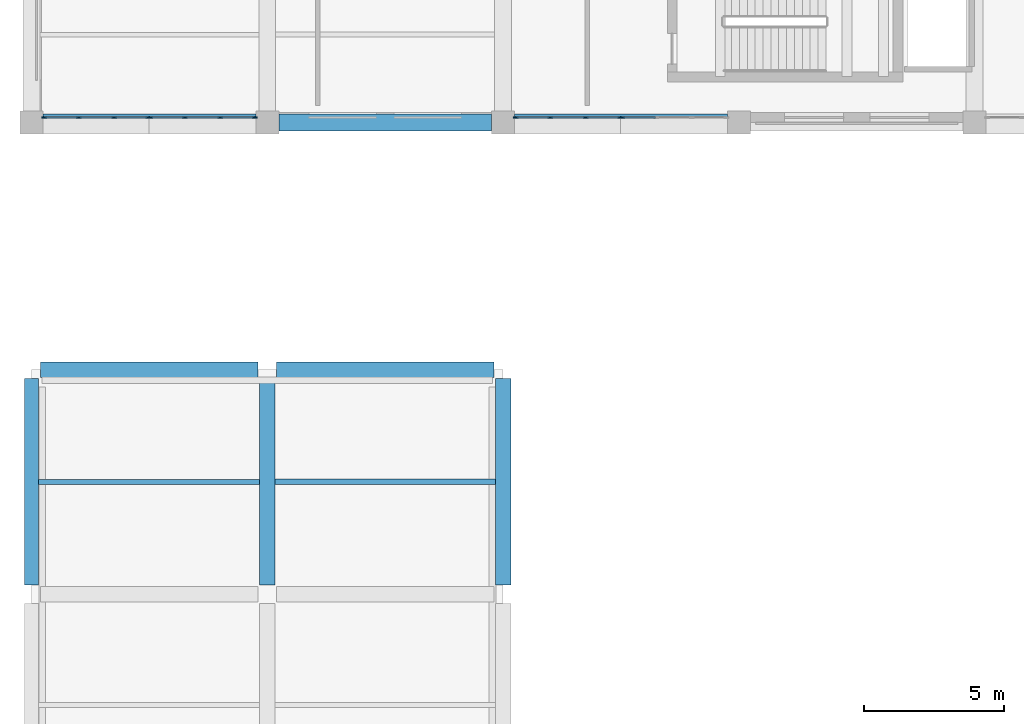
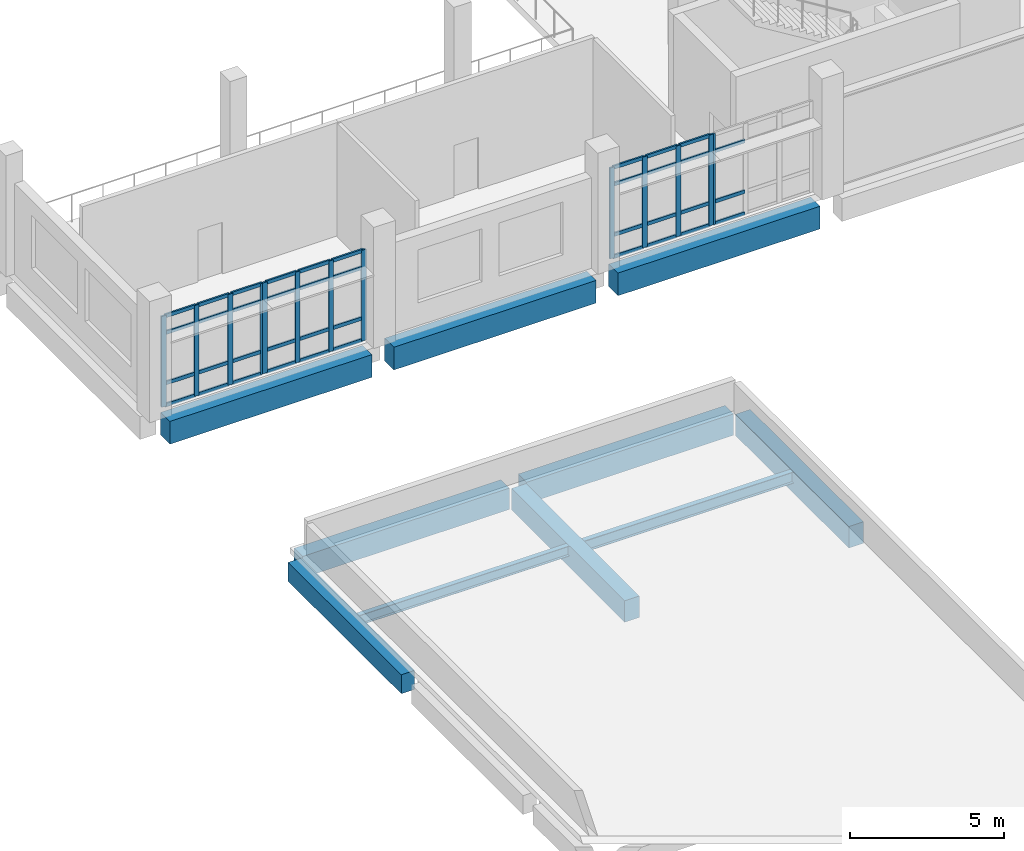
# One storey, part 14 of 73: 52 members, 10 beams, 4 elements without a shape of their own.
"""IFC4 building model written with IfcOpenShell, lengths in metres."""

from ifc_helpers import new_model, si_unit, direction, frame, origin, origin_2d, place, context, subcontext, project, spatial, rectangle, i_section, extrude, material, layer, layer_set, material_profile, profile_set, type_object, element, aggregate, save


model = new_model("IFC4")

# Units and contexts
model_context = context("Model", 3, precision=1e-05, world=origin(), true_north=direction((0.0, 1.0)))
body_context = subcontext(model_context, "Body", "Model", "MODEL_VIEW")
ifc_project = project(units=[si_unit("LENGTHUNIT", "METRE"), si_unit("AREAUNIT", "SQUARE_METRE"), si_unit("VOLUMEUNIT", "CUBIC_METRE"), si_unit("PLANEANGLEUNIT", "RADIAN"), si_unit("MASSUNIT", "GRAM", prefix="KILO")], contexts=[model_context])

# Site, building, storey
site_placement = place(None, origin())
site = spatial("IfcSite", under=ifc_project, at=site_placement, CompositionType="ELEMENT")
building_placement = place(site_placement, origin())
building = spatial("IfcBuilding", under=site, at=building_placement, Name="Kelarvand Opera House", CompositionType="ELEMENT")
storey_placement = place(building_placement, frame((0.0, 0.0, 10.199951171875)))
storey = spatial("IfcBuildingStorey", under=building, at=storey_placement, Name="L02", CompositionType="ELEMENT", Elevation=10.199951171875)

# Curtain wall, member
ifc_material_1 = material(Name="Thermally broken aluminium and low-E glazing", Category="aluminium")
ifc_layer = layer(ifc_material_1, 0.179931640625, Name="Thermally broken aluminium and low-E glazing", Category="aluminium")
ifc_layer_set = layer_set([ifc_layer], Name="Thermally broken aluminium and low-E glazing")
curtain_wall_type = type_object("IfcCurtainWallType", Name="Unitised Low-E Curtain Wall 3818x3600 Mod 1350 CWF-18", PredefinedType="USERDEFINED", material=ifc_layer_set)
curtain_wall_1_placement = place(storey_placement, origin())
curtain_wall_1 = element("IfcCurtainWall", 1, at=curtain_wall_1_placement, inside=storey, type_object=curtain_wall_type, Name="V3 L02 Curtain Wall CWF-18 (83)", ObjectType="UNITISED CURTAIN WALL", PredefinedType="USERDEFINED")
ifc_material_2 = material(Name="Thermally broken anodised aluminium", Category="aluminium")
ifc_material_profile_1 = material_profile(ifc_material_2, rectangle(XDim=0.06494140625, YDim=0.179931640625, at=origin_2d()), Name="ALU MULLION 65x180", Category="aluminium")
ifc_profile_set_1 = profile_set([ifc_material_profile_1], Name="Thermally broken anodised aluminium")
member_type_1 = type_object("IfcMemberType", Name="Curtain Wall Mullion 65x180 Aluminium", PredefinedType="MULLION", material=ifc_profile_set_1)
member_1_placement = place(storey_placement, frame((30.03662109375, 87.3798828125, 0.0), z_axis=(0.0, 0.0, 1.0), x_axis=(0.0, -1.0, 0.0)))
member_1 = element("IfcMember", 2, at=member_1_placement, type_object=member_type_1, Name="CWF-18 mullion 4", PredefinedType="MULLION", context=body_context, shape_type="SweptSolid", body=[
    extrude(rectangle(XDim=0.06494140625, YDim=0.179931640625, at=origin_2d()), origin(), (0.0, 0.0, 1.0), 3.60009765625),
])

# Curtain wall, members
curtain_wall_2_placement = place(storey_placement, origin())
curtain_wall_2 = element("IfcCurtainWall", 3, at=curtain_wall_2_placement, inside=storey, type_object=curtain_wall_type, Name="V3 L02 Curtain Wall CWF-18 (84)", ObjectType="UNITISED CURTAIN WALL", PredefinedType="USERDEFINED")
member_2_placement = place(storey_placement, frame((29.967529296875, 87.3798828125, 0.0), z_axis=(0.0, 0.0, 1.0), x_axis=(0.0, -1.0, 0.0)))
member_2 = element("IfcMember", 4, at=member_2_placement, type_object=member_type_1, Name="CWF-18 mullion 1", PredefinedType="MULLION", context=body_context, shape_type="SweptSolid", body=[
    extrude(rectangle(XDim=0.06494140625, YDim=0.179931640625, at=origin_2d()), origin(), (0.0, 0.0, 1.0), 3.60009765625),
])
member_3_placement = place(storey_placement, frame((28.739990234375, 87.3798828125, 0.0), z_axis=(0.0, 0.0, 1.0), x_axis=(0.0, -1.0, 0.0)))
member_3 = element("IfcMember", 5, at=member_3_placement, type_object=member_type_1, Name="CWF-18 mullion 2", PredefinedType="MULLION", context=body_context, shape_type="SweptSolid", body=[
    extrude(rectangle(XDim=0.06494140625, YDim=0.179931640625, at=origin_2d()), origin(), (0.0, 0.0, 1.0), 3.60009765625),
])
member_4_placement = place(storey_placement, frame((27.47998046875, 87.3798828125, 0.0), z_axis=(0.0, 0.0, 1.0), x_axis=(0.0, -1.0, 0.0)))
member_4 = element("IfcMember", 6, at=member_4_placement, type_object=member_type_1, Name="CWF-18 mullion 3", PredefinedType="MULLION", context=body_context, shape_type="SweptSolid", body=[
    extrude(rectangle(XDim=0.06494140625, YDim=0.179931640625, at=origin_2d()), origin(), (0.0, 0.0, 1.0), 3.60009765625),
])
member_5_placement = place(storey_placement, frame((26.25244140625, 87.3798828125, 0.0), z_axis=(0.0, 0.0, 1.0), x_axis=(0.0, -1.0, 0.0)))
member_5 = element("IfcMember", 7, at=member_5_placement, type_object=member_type_1, Name="CWF-18 mullion 4", PredefinedType="MULLION", context=body_context, shape_type="SweptSolid", body=[
    extrude(rectangle(XDim=0.06494140625, YDim=0.179931640625, at=origin_2d()), origin(), (0.0, 0.0, 1.0), 3.60009765625),
])

curtain_wall_3_placement = place(storey_placement, origin())
curtain_wall_3 = element("IfcCurtainWall", 8, at=curtain_wall_3_placement, inside=storey, type_object=curtain_wall_type, Name="V3 L02 Curtain Wall CWF-18 (85)", ObjectType="UNITISED CURTAIN WALL", PredefinedType="USERDEFINED")
member_6_placement = place(storey_placement, frame((16.947509765625, 87.3798828125, 0.0), z_axis=(0.0, 0.0, 1.0), x_axis=(0.0, -1.0, 0.0)))
member_6 = element("IfcMember", 9, at=member_6_placement, type_object=member_type_1, Name="CWF-18 mullion 1", PredefinedType="MULLION", context=body_context, shape_type="SweptSolid", body=[
    extrude(rectangle(XDim=0.06494140625, YDim=0.179931640625, at=origin_2d()), origin(), (0.0, 0.0, 1.0), 3.60009765625),
])
member_7_placement = place(storey_placement, frame((15.721435546875, 87.3798828125, 0.0), z_axis=(0.0, 0.0, 1.0), x_axis=(0.0, -1.0, 0.0)))
member_7 = element("IfcMember", 10, at=member_7_placement, type_object=member_type_1, Name="CWF-18 mullion 2", PredefinedType="MULLION", context=body_context, shape_type="SweptSolid", body=[
    extrude(rectangle(XDim=0.06494140625, YDim=0.179931640625, at=origin_2d()), origin(), (0.0, 0.0, 1.0), 3.60009765625),
])
member_8_placement = place(storey_placement, frame((14.462646484375, 87.3798828125, 0.0), z_axis=(0.0, 0.0, 1.0), x_axis=(0.0, -1.0, 0.0)))
member_8 = element("IfcMember", 11, at=member_8_placement, type_object=member_type_1, Name="CWF-18 mullion 3", PredefinedType="MULLION", context=body_context, shape_type="SweptSolid", body=[
    extrude(rectangle(XDim=0.06494140625, YDim=0.179931640625, at=origin_2d()), origin(), (0.0, 0.0, 1.0), 3.60009765625),
])
member_9_placement = place(storey_placement, frame((13.236572265625, 87.3798828125, 0.0), z_axis=(0.0, 0.0, 1.0), x_axis=(0.0, -1.0, 0.0)))
member_9 = element("IfcMember", 12, at=member_9_placement, type_object=member_type_1, Name="CWF-18 mullion 4", PredefinedType="MULLION", context=body_context, shape_type="SweptSolid", body=[
    extrude(rectangle(XDim=0.06494140625, YDim=0.179931640625, at=origin_2d()), origin(), (0.0, 0.0, 1.0), 3.60009765625),
])

curtain_wall_4_placement = place(storey_placement, origin())
curtain_wall_4 = element("IfcCurtainWall", 13, at=curtain_wall_4_placement, inside=storey, type_object=curtain_wall_type, Name="V3 L02 Curtain Wall CWF-18 (86)", ObjectType="UNITISED CURTAIN WALL", PredefinedType="USERDEFINED")
member_10_placement = place(storey_placement, frame((13.16748046875, 87.3798828125, 0.0), z_axis=(0.0, 0.0, 1.0), x_axis=(0.0, -1.0, 0.0)))
member_10 = element("IfcMember", 14, at=member_10_placement, type_object=member_type_1, Name="CWF-18 mullion 1", PredefinedType="MULLION", context=body_context, shape_type="SweptSolid", body=[
    extrude(rectangle(XDim=0.06494140625, YDim=0.179931640625, at=origin_2d()), origin(), (0.0, 0.0, 1.0), 3.60009765625),
])
member_11_placement = place(storey_placement, frame((11.93994140625, 87.3798828125, 0.0), z_axis=(0.0, 0.0, 1.0), x_axis=(0.0, -1.0, 0.0)))
member_11 = element("IfcMember", 15, at=member_11_placement, type_object=member_type_1, Name="CWF-18 mullion 2", PredefinedType="MULLION", context=body_context, shape_type="SweptSolid", body=[
    extrude(rectangle(XDim=0.06494140625, YDim=0.179931640625, at=origin_2d()), origin(), (0.0, 0.0, 1.0), 3.60009765625),
])
member_12_placement = place(storey_placement, frame((10.679931640625, 87.3798828125, 0.0), z_axis=(0.0, 0.0, 1.0), x_axis=(0.0, -1.0, 0.0)))
member_12 = element("IfcMember", 16, at=member_12_placement, type_object=member_type_1, Name="CWF-18 mullion 3", PredefinedType="MULLION", context=body_context, shape_type="SweptSolid", body=[
    extrude(rectangle(XDim=0.06494140625, YDim=0.179931640625, at=origin_2d()), origin(), (0.0, 0.0, 1.0), 3.60009765625),
])
member_13_placement = place(storey_placement, frame((9.452392578125, 87.3798828125, 0.0), z_axis=(0.0, 0.0, 1.0), x_axis=(0.0, -1.0, 0.0)))
member_13 = element("IfcMember", 17, at=member_13_placement, type_object=member_type_1, Name="CWF-18 mullion 4", PredefinedType="MULLION", context=body_context, shape_type="SweptSolid", body=[
    extrude(rectangle(XDim=0.06494140625, YDim=0.179931640625, at=origin_2d()), origin(), (0.0, 0.0, 1.0), 3.60009765625),
])

# Member
ifc_material_profile_2 = material_profile(ifc_material_2, rectangle(XDim=0.06494140625, YDim=0.139892578125, at=origin_2d()), Name="ALU TRANSOM 65x140", Category="aluminium")
ifc_profile_set_2 = profile_set([ifc_material_profile_2], Name="Thermally broken anodised aluminium")
member_type_2 = type_object("IfcMemberType", Name="Curtain Wall Transom 65x140 Aluminium", PredefinedType="USERDEFINED", material=ifc_profile_set_2)
member_14_placement = place(storey_placement, frame((31.230224609375, 87.3798828125, 0.032470703125), z_axis=(-1.0, 0.0, 0.0), x_axis=(0.0, -1.0, 0.0)))
member_14 = element("IfcMember", 18, at=member_14_placement, type_object=member_type_2, Name="CWF-18 transom 3.1", ObjectType="TRANSOM", PredefinedType="USERDEFINED", context=body_context, shape_type="SweptSolid", body=[
    extrude(rectangle(XDim=0.06494140625, YDim=0.139892578125, at=origin_2d()), origin(), (0.0, 0.0, 1.0), 1.1611328125),
])

member_15_placement = place(storey_placement, frame((31.230224609375, 87.3798828125, 0.900146484375), z_axis=(-1.0, 0.0, 0.0), x_axis=(0.0, -1.0, 0.0)))
member_15 = element("IfcMember", 19, at=member_15_placement, type_object=member_type_2, Name="CWF-18 transom 3.2", ObjectType="TRANSOM", PredefinedType="USERDEFINED", context=body_context, shape_type="SweptSolid", body=[
    extrude(rectangle(XDim=0.06494140625, YDim=0.139892578125, at=origin_2d()), origin(), (0.0, 0.0, 1.0), 1.1611328125),
])

member_16_placement = place(storey_placement, frame((31.230224609375, 87.3798828125, 2.900146484375), z_axis=(-1.0, 0.0, 0.0), x_axis=(0.0, -1.0, 0.0)))
member_16 = element("IfcMember", 20, at=member_16_placement, type_object=member_type_2, Name="CWF-18 transom 3.3", ObjectType="TRANSOM", PredefinedType="USERDEFINED", context=body_context, shape_type="SweptSolid", body=[
    extrude(rectangle(XDim=0.06494140625, YDim=0.139892578125, at=origin_2d()), origin(), (0.0, 0.0, 1.0), 1.1611328125),
])

aggregate(curtain_wall_1, [member_1, member_14, member_15, member_16])

member_17_placement = place(storey_placement, frame((29.93505859375, 87.3798828125, 0.032470703125), z_axis=(-1.0, 0.0, 0.0), x_axis=(0.0, -1.0, 0.0)))
member_17 = element("IfcMember", 21, at=member_17_placement, type_object=member_type_2, Name="CWF-18 transom 1.1", ObjectType="TRANSOM", PredefinedType="USERDEFINED", context=body_context, shape_type="SweptSolid", body=[
    extrude(rectangle(XDim=0.06494140625, YDim=0.139892578125, at=origin_2d()), origin(), (0.0, 0.0, 1.0), 1.16259765625),
])

member_18_placement = place(storey_placement, frame((29.93505859375, 87.3798828125, 0.900146484375), z_axis=(-1.0, 0.0, 0.0), x_axis=(0.0, -1.0, 0.0)))
member_18 = element("IfcMember", 22, at=member_18_placement, type_object=member_type_2, Name="CWF-18 transom 1.2", ObjectType="TRANSOM", PredefinedType="USERDEFINED", context=body_context, shape_type="SweptSolid", body=[
    extrude(rectangle(XDim=0.06494140625, YDim=0.139892578125, at=origin_2d()), origin(), (0.0, 0.0, 1.0), 1.16259765625),
])

member_19_placement = place(storey_placement, frame((29.93505859375, 87.3798828125, 2.900146484375), z_axis=(-1.0, 0.0, 0.0), x_axis=(0.0, -1.0, 0.0)))
member_19 = element("IfcMember", 23, at=member_19_placement, type_object=member_type_2, Name="CWF-18 transom 1.3", ObjectType="TRANSOM", PredefinedType="USERDEFINED", context=body_context, shape_type="SweptSolid", body=[
    extrude(rectangle(XDim=0.06494140625, YDim=0.139892578125, at=origin_2d()), origin(), (0.0, 0.0, 1.0), 1.16259765625),
])

member_20_placement = place(storey_placement, frame((29.93505859375, 87.3798828125, 3.567626953125), z_axis=(-1.0, 0.0, 0.0), x_axis=(0.0, -1.0, 0.0)))
member_20 = element("IfcMember", 24, at=member_20_placement, type_object=member_type_2, Name="CWF-18 transom 1.4", ObjectType="TRANSOM", PredefinedType="USERDEFINED", context=body_context, shape_type="SweptSolid", body=[
    extrude(rectangle(XDim=0.06494140625, YDim=0.139892578125, at=origin_2d()), origin(), (0.0, 0.0, 1.0), 1.16259765625),
])

member_21_placement = place(storey_placement, frame((28.70751953125, 87.3798828125, 0.032470703125), z_axis=(-1.0, 0.0, 0.0), x_axis=(0.0, -1.0, 0.0)))
member_21 = element("IfcMember", 25, at=member_21_placement, type_object=member_type_2, Name="CWF-18 transom 2.1", ObjectType="TRANSOM", PredefinedType="USERDEFINED", context=body_context, shape_type="SweptSolid", body=[
    extrude(rectangle(XDim=0.06494140625, YDim=0.139892578125, at=origin_2d()), origin(), (0.0, 0.0, 1.0), 1.195068359375),
])

member_22_placement = place(storey_placement, frame((28.70751953125, 87.3798828125, 0.900146484375), z_axis=(-1.0, 0.0, 0.0), x_axis=(0.0, -1.0, 0.0)))
member_22 = element("IfcMember", 26, at=member_22_placement, type_object=member_type_2, Name="CWF-18 transom 2.2", ObjectType="TRANSOM", PredefinedType="USERDEFINED", context=body_context, shape_type="SweptSolid", body=[
    extrude(rectangle(XDim=0.06494140625, YDim=0.139892578125, at=origin_2d()), origin(), (0.0, 0.0, 1.0), 1.195068359375),
])

member_23_placement = place(storey_placement, frame((28.70751953125, 87.3798828125, 2.900146484375), z_axis=(-1.0, 0.0, 0.0), x_axis=(0.0, -1.0, 0.0)))
member_23 = element("IfcMember", 27, at=member_23_placement, type_object=member_type_2, Name="CWF-18 transom 2.3", ObjectType="TRANSOM", PredefinedType="USERDEFINED", context=body_context, shape_type="SweptSolid", body=[
    extrude(rectangle(XDim=0.06494140625, YDim=0.139892578125, at=origin_2d()), origin(), (0.0, 0.0, 1.0), 1.195068359375),
])

member_24_placement = place(storey_placement, frame((28.70751953125, 87.3798828125, 3.567626953125), z_axis=(-1.0, 0.0, 0.0), x_axis=(0.0, -1.0, 0.0)))
member_24 = element("IfcMember", 28, at=member_24_placement, type_object=member_type_2, Name="CWF-18 transom 2.4", ObjectType="TRANSOM", PredefinedType="USERDEFINED", context=body_context, shape_type="SweptSolid", body=[
    extrude(rectangle(XDim=0.06494140625, YDim=0.139892578125, at=origin_2d()), origin(), (0.0, 0.0, 1.0), 1.195068359375),
])

member_25_placement = place(storey_placement, frame((27.447509765625, 87.3798828125, 0.032470703125), z_axis=(-1.0, 0.0, 0.0), x_axis=(0.0, -1.0, 0.0)))
member_25 = element("IfcMember", 29, at=member_25_placement, type_object=member_type_2, Name="CWF-18 transom 3.1", ObjectType="TRANSOM", PredefinedType="USERDEFINED", context=body_context, shape_type="SweptSolid", body=[
    extrude(rectangle(XDim=0.06494140625, YDim=0.139892578125, at=origin_2d()), origin(), (0.0, 0.0, 1.0), 1.16259765625),
])

member_26_placement = place(storey_placement, frame((27.447509765625, 87.3798828125, 0.900146484375), z_axis=(-1.0, 0.0, 0.0), x_axis=(0.0, -1.0, 0.0)))
member_26 = element("IfcMember", 30, at=member_26_placement, type_object=member_type_2, Name="CWF-18 transom 3.2", ObjectType="TRANSOM", PredefinedType="USERDEFINED", context=body_context, shape_type="SweptSolid", body=[
    extrude(rectangle(XDim=0.06494140625, YDim=0.139892578125, at=origin_2d()), origin(), (0.0, 0.0, 1.0), 1.16259765625),
])

member_27_placement = place(storey_placement, frame((27.447509765625, 87.3798828125, 2.900146484375), z_axis=(-1.0, 0.0, 0.0), x_axis=(0.0, -1.0, 0.0)))
member_27 = element("IfcMember", 31, at=member_27_placement, type_object=member_type_2, Name="CWF-18 transom 3.3", ObjectType="TRANSOM", PredefinedType="USERDEFINED", context=body_context, shape_type="SweptSolid", body=[
    extrude(rectangle(XDim=0.06494140625, YDim=0.139892578125, at=origin_2d()), origin(), (0.0, 0.0, 1.0), 1.16259765625),
])

member_28_placement = place(storey_placement, frame((27.447509765625, 87.3798828125, 3.567626953125), z_axis=(-1.0, 0.0, 0.0), x_axis=(0.0, -1.0, 0.0)))
member_28 = element("IfcMember", 32, at=member_28_placement, type_object=member_type_2, Name="CWF-18 transom 3.4", ObjectType="TRANSOM", PredefinedType="USERDEFINED", context=body_context, shape_type="SweptSolid", body=[
    extrude(rectangle(XDim=0.06494140625, YDim=0.139892578125, at=origin_2d()), origin(), (0.0, 0.0, 1.0), 1.16259765625),
])

aggregate(curtain_wall_2, [member_2, member_3, member_4, member_5, member_17, member_18, member_19, member_20, member_21, member_22, member_23, member_24, member_25, member_26, member_27, member_28])

member_29_placement = place(storey_placement, frame((16.9150390625, 87.3798828125, 0.032470703125), z_axis=(-1.0, 0.0, 0.0), x_axis=(0.0, -1.0, 0.0)))
member_29 = element("IfcMember", 33, at=member_29_placement, type_object=member_type_2, Name="CWF-18 transom 1.1", ObjectType="TRANSOM", PredefinedType="USERDEFINED", context=body_context, shape_type="SweptSolid", body=[
    extrude(rectangle(XDim=0.06494140625, YDim=0.139892578125, at=origin_2d()), origin(), (0.0, 0.0, 1.0), 1.1611328125),
])

member_30_placement = place(storey_placement, frame((16.9150390625, 87.3798828125, 0.900146484375), z_axis=(-1.0, 0.0, 0.0), x_axis=(0.0, -1.0, 0.0)))
member_30 = element("IfcMember", 34, at=member_30_placement, type_object=member_type_2, Name="CWF-18 transom 1.2", ObjectType="TRANSOM", PredefinedType="USERDEFINED", context=body_context, shape_type="SweptSolid", body=[
    extrude(rectangle(XDim=0.06494140625, YDim=0.139892578125, at=origin_2d()), origin(), (0.0, 0.0, 1.0), 1.1611328125),
])

member_31_placement = place(storey_placement, frame((16.9150390625, 87.3798828125, 2.900146484375), z_axis=(-1.0, 0.0, 0.0), x_axis=(0.0, -1.0, 0.0)))
member_31 = element("IfcMember", 35, at=member_31_placement, type_object=member_type_2, Name="CWF-18 transom 1.3", ObjectType="TRANSOM", PredefinedType="USERDEFINED", context=body_context, shape_type="SweptSolid", body=[
    extrude(rectangle(XDim=0.06494140625, YDim=0.139892578125, at=origin_2d()), origin(), (0.0, 0.0, 1.0), 1.1611328125),
])

member_32_placement = place(storey_placement, frame((16.9150390625, 87.3798828125, 3.567626953125), z_axis=(-1.0, 0.0, 0.0), x_axis=(0.0, -1.0, 0.0)))
member_32 = element("IfcMember", 36, at=member_32_placement, type_object=member_type_2, Name="CWF-18 transom 1.4", ObjectType="TRANSOM", PredefinedType="USERDEFINED", context=body_context, shape_type="SweptSolid", body=[
    extrude(rectangle(XDim=0.06494140625, YDim=0.139892578125, at=origin_2d()), origin(), (0.0, 0.0, 1.0), 1.1611328125),
])

member_33_placement = place(storey_placement, frame((15.688720703125, 87.3798828125, 0.032470703125), z_axis=(-1.0, 0.0, 0.0), x_axis=(0.0, -1.0, 0.0)))
member_33 = element("IfcMember", 37, at=member_33_placement, type_object=member_type_2, Name="CWF-18 transom 2.1", ObjectType="TRANSOM", PredefinedType="USERDEFINED", context=body_context, shape_type="SweptSolid", body=[
    extrude(rectangle(XDim=0.06494140625, YDim=0.139892578125, at=origin_2d()), origin(), (0.0, 0.0, 1.0), 1.193603515625),
])

member_34_placement = place(storey_placement, frame((15.688720703125, 87.3798828125, 0.900146484375), z_axis=(-1.0, 0.0, 0.0), x_axis=(0.0, -1.0, 0.0)))
member_34 = element("IfcMember", 38, at=member_34_placement, type_object=member_type_2, Name="CWF-18 transom 2.2", ObjectType="TRANSOM", PredefinedType="USERDEFINED", context=body_context, shape_type="SweptSolid", body=[
    extrude(rectangle(XDim=0.06494140625, YDim=0.139892578125, at=origin_2d()), origin(), (0.0, 0.0, 1.0), 1.193603515625),
])

member_35_placement = place(storey_placement, frame((15.688720703125, 87.3798828125, 2.900146484375), z_axis=(-1.0, 0.0, 0.0), x_axis=(0.0, -1.0, 0.0)))
member_35 = element("IfcMember", 39, at=member_35_placement, type_object=member_type_2, Name="CWF-18 transom 2.3", ObjectType="TRANSOM", PredefinedType="USERDEFINED", context=body_context, shape_type="SweptSolid", body=[
    extrude(rectangle(XDim=0.06494140625, YDim=0.139892578125, at=origin_2d()), origin(), (0.0, 0.0, 1.0), 1.193603515625),
])

member_36_placement = place(storey_placement, frame((15.688720703125, 87.3798828125, 3.567626953125), z_axis=(-1.0, 0.0, 0.0), x_axis=(0.0, -1.0, 0.0)))
member_36 = element("IfcMember", 40, at=member_36_placement, type_object=member_type_2, Name="CWF-18 transom 2.4", ObjectType="TRANSOM", PredefinedType="USERDEFINED", context=body_context, shape_type="SweptSolid", body=[
    extrude(rectangle(XDim=0.06494140625, YDim=0.139892578125, at=origin_2d()), origin(), (0.0, 0.0, 1.0), 1.193603515625),
])

member_37_placement = place(storey_placement, frame((14.43017578125, 87.3798828125, 0.032470703125), z_axis=(-1.0, 0.0, 0.0), x_axis=(0.0, -1.0, 0.0)))
member_37 = element("IfcMember", 41, at=member_37_placement, type_object=member_type_2, Name="CWF-18 transom 3.1", ObjectType="TRANSOM", PredefinedType="USERDEFINED", context=body_context, shape_type="SweptSolid", body=[
    extrude(rectangle(XDim=0.06494140625, YDim=0.139892578125, at=origin_2d()), origin(), (0.0, 0.0, 1.0), 1.1611328125),
])

member_38_placement = place(storey_placement, frame((14.43017578125, 87.3798828125, 0.900146484375), z_axis=(-1.0, 0.0, 0.0), x_axis=(0.0, -1.0, 0.0)))
member_38 = element("IfcMember", 42, at=member_38_placement, type_object=member_type_2, Name="CWF-18 transom 3.2", ObjectType="TRANSOM", PredefinedType="USERDEFINED", context=body_context, shape_type="SweptSolid", body=[
    extrude(rectangle(XDim=0.06494140625, YDim=0.139892578125, at=origin_2d()), origin(), (0.0, 0.0, 1.0), 1.1611328125),
])

member_39_placement = place(storey_placement, frame((14.43017578125, 87.3798828125, 2.900146484375), z_axis=(-1.0, 0.0, 0.0), x_axis=(0.0, -1.0, 0.0)))
member_39 = element("IfcMember", 43, at=member_39_placement, type_object=member_type_2, Name="CWF-18 transom 3.3", ObjectType="TRANSOM", PredefinedType="USERDEFINED", context=body_context, shape_type="SweptSolid", body=[
    extrude(rectangle(XDim=0.06494140625, YDim=0.139892578125, at=origin_2d()), origin(), (0.0, 0.0, 1.0), 1.1611328125),
])

member_40_placement = place(storey_placement, frame((14.43017578125, 87.3798828125, 3.567626953125), z_axis=(-1.0, 0.0, 0.0), x_axis=(0.0, -1.0, 0.0)))
member_40 = element("IfcMember", 44, at=member_40_placement, type_object=member_type_2, Name="CWF-18 transom 3.4", ObjectType="TRANSOM", PredefinedType="USERDEFINED", context=body_context, shape_type="SweptSolid", body=[
    extrude(rectangle(XDim=0.06494140625, YDim=0.139892578125, at=origin_2d()), origin(), (0.0, 0.0, 1.0), 1.1611328125),
])

aggregate(curtain_wall_3, [member_6, member_7, member_8, member_9, member_29, member_30, member_31, member_32, member_33, member_34, member_35, member_36, member_37, member_38, member_39, member_40])

member_41_placement = place(storey_placement, frame((13.135009765625, 87.3798828125, 0.032470703125), z_axis=(-1.0, 0.0, 0.0), x_axis=(0.0, -1.0, 0.0)))
member_41 = element("IfcMember", 45, at=member_41_placement, type_object=member_type_2, Name="CWF-18 transom 1.1", ObjectType="TRANSOM", PredefinedType="USERDEFINED", context=body_context, shape_type="SweptSolid", body=[
    extrude(rectangle(XDim=0.06494140625, YDim=0.139892578125, at=origin_2d()), origin(), (0.0, 0.0, 1.0), 1.16259765625),
])

member_42_placement = place(storey_placement, frame((13.135009765625, 87.3798828125, 0.900146484375), z_axis=(-1.0, 0.0, 0.0), x_axis=(0.0, -1.0, 0.0)))
member_42 = element("IfcMember", 46, at=member_42_placement, type_object=member_type_2, Name="CWF-18 transom 1.2", ObjectType="TRANSOM", PredefinedType="USERDEFINED", context=body_context, shape_type="SweptSolid", body=[
    extrude(rectangle(XDim=0.06494140625, YDim=0.139892578125, at=origin_2d()), origin(), (0.0, 0.0, 1.0), 1.16259765625),
])

member_43_placement = place(storey_placement, frame((13.135009765625, 87.3798828125, 2.900146484375), z_axis=(-1.0, 0.0, 0.0), x_axis=(0.0, -1.0, 0.0)))
member_43 = element("IfcMember", 47, at=member_43_placement, type_object=member_type_2, Name="CWF-18 transom 1.3", ObjectType="TRANSOM", PredefinedType="USERDEFINED", context=body_context, shape_type="SweptSolid", body=[
    extrude(rectangle(XDim=0.06494140625, YDim=0.139892578125, at=origin_2d()), origin(), (0.0, 0.0, 1.0), 1.16259765625),
])

member_44_placement = place(storey_placement, frame((13.135009765625, 87.3798828125, 3.567626953125), z_axis=(-1.0, 0.0, 0.0), x_axis=(0.0, -1.0, 0.0)))
member_44 = element("IfcMember", 48, at=member_44_placement, type_object=member_type_2, Name="CWF-18 transom 1.4", ObjectType="TRANSOM", PredefinedType="USERDEFINED", context=body_context, shape_type="SweptSolid", body=[
    extrude(rectangle(XDim=0.06494140625, YDim=0.139892578125, at=origin_2d()), origin(), (0.0, 0.0, 1.0), 1.16259765625),
])

member_45_placement = place(storey_placement, frame((11.907470703125, 87.3798828125, 0.032470703125), z_axis=(-1.0, 0.0, 0.0), x_axis=(0.0, -1.0, 0.0)))
member_45 = element("IfcMember", 49, at=member_45_placement, type_object=member_type_2, Name="CWF-18 transom 2.1", ObjectType="TRANSOM", PredefinedType="USERDEFINED", context=body_context, shape_type="SweptSolid", body=[
    extrude(rectangle(XDim=0.06494140625, YDim=0.139892578125, at=origin_2d()), origin(), (0.0, 0.0, 1.0), 1.195068359375),
])

member_46_placement = place(storey_placement, frame((11.907470703125, 87.3798828125, 0.900146484375), z_axis=(-1.0, 0.0, 0.0), x_axis=(0.0, -1.0, 0.0)))
member_46 = element("IfcMember", 50, at=member_46_placement, type_object=member_type_2, Name="CWF-18 transom 2.2", ObjectType="TRANSOM", PredefinedType="USERDEFINED", context=body_context, shape_type="SweptSolid", body=[
    extrude(rectangle(XDim=0.06494140625, YDim=0.139892578125, at=origin_2d()), origin(), (0.0, 0.0, 1.0), 1.195068359375),
])

member_47_placement = place(storey_placement, frame((11.907470703125, 87.3798828125, 2.900146484375), z_axis=(-1.0, 0.0, 0.0), x_axis=(0.0, -1.0, 0.0)))
member_47 = element("IfcMember", 51, at=member_47_placement, type_object=member_type_2, Name="CWF-18 transom 2.3", ObjectType="TRANSOM", PredefinedType="USERDEFINED", context=body_context, shape_type="SweptSolid", body=[
    extrude(rectangle(XDim=0.06494140625, YDim=0.139892578125, at=origin_2d()), origin(), (0.0, 0.0, 1.0), 1.195068359375),
])

member_48_placement = place(storey_placement, frame((11.907470703125, 87.3798828125, 3.567626953125), z_axis=(-1.0, 0.0, 0.0), x_axis=(0.0, -1.0, 0.0)))
member_48 = element("IfcMember", 52, at=member_48_placement, type_object=member_type_2, Name="CWF-18 transom 2.4", ObjectType="TRANSOM", PredefinedType="USERDEFINED", context=body_context, shape_type="SweptSolid", body=[
    extrude(rectangle(XDim=0.06494140625, YDim=0.139892578125, at=origin_2d()), origin(), (0.0, 0.0, 1.0), 1.195068359375),
])

member_49_placement = place(storey_placement, frame((10.6474609375, 87.3798828125, 0.032470703125), z_axis=(-1.0, 0.0, 0.0), x_axis=(0.0, -1.0, 0.0)))
member_49 = element("IfcMember", 53, at=member_49_placement, type_object=member_type_2, Name="CWF-18 transom 3.1", ObjectType="TRANSOM", PredefinedType="USERDEFINED", context=body_context, shape_type="SweptSolid", body=[
    extrude(rectangle(XDim=0.06494140625, YDim=0.139892578125, at=origin_2d()), origin(), (0.0, 0.0, 1.0), 1.162353515625),
])

member_50_placement = place(storey_placement, frame((10.6474609375, 87.3798828125, 0.900146484375), z_axis=(-1.0, 0.0, 0.0), x_axis=(0.0, -1.0, 0.0)))
member_50 = element("IfcMember", 54, at=member_50_placement, type_object=member_type_2, Name="CWF-18 transom 3.2", ObjectType="TRANSOM", PredefinedType="USERDEFINED", context=body_context, shape_type="SweptSolid", body=[
    extrude(rectangle(XDim=0.06494140625, YDim=0.139892578125, at=origin_2d()), origin(), (0.0, 0.0, 1.0), 1.162353515625),
])

member_51_placement = place(storey_placement, frame((10.6474609375, 87.3798828125, 2.900146484375), z_axis=(-1.0, 0.0, 0.0), x_axis=(0.0, -1.0, 0.0)))
member_51 = element("IfcMember", 55, at=member_51_placement, type_object=member_type_2, Name="CWF-18 transom 3.3", ObjectType="TRANSOM", PredefinedType="USERDEFINED", context=body_context, shape_type="SweptSolid", body=[
    extrude(rectangle(XDim=0.06494140625, YDim=0.139892578125, at=origin_2d()), origin(), (0.0, 0.0, 1.0), 1.162353515625),
])

member_52_placement = place(storey_placement, frame((10.6474609375, 87.3798828125, 3.567626953125), z_axis=(-1.0, 0.0, 0.0), x_axis=(0.0, -1.0, 0.0)))
member_52 = element("IfcMember", 56, at=member_52_placement, type_object=member_type_2, Name="CWF-18 transom 3.4", ObjectType="TRANSOM", PredefinedType="USERDEFINED", context=body_context, shape_type="SweptSolid", body=[
    extrude(rectangle(XDim=0.06494140625, YDim=0.139892578125, at=origin_2d()), origin(), (0.0, 0.0, 1.0), 1.162353515625),
])

aggregate(curtain_wall_4, [member_10, member_11, member_12, member_13, member_41, member_42, member_43, member_44, member_45, member_46, member_47, member_48, member_49, member_50, member_51, member_52])

# Beams
ifc_material_3 = material(Name="Concrete C40/50", Category="concrete")
ifc_material_profile_3 = material_profile(ifc_material_3, rectangle(XDim=0.550048828125, YDim=0.85009765625, at=origin_2d()), Name="RC 550x850", Category="concrete")
ifc_profile_set_3 = profile_set([ifc_material_profile_3], Name="Concrete C40/50")
beam_type_1 = type_object("IfcBeamType", Name="Structural Beam RC 550x850 BM-RC550x850", PredefinedType="BEAM", material=ifc_profile_set_3)
for number, where, z_axis, x_axis, name in (
    (57, (9.324951171875, 78.39990234375, -0.724853515625), (1.0, 0.0, 0.0), (0.0, 1.0, 0.0), "V4 L02 Beam BM-RC550x850"),
    (58, (17.72509765625, 78.39990234375, -0.724853515625), (1.0, 0.0, 0.0), (0.0, 1.0, 0.0), "V4 L02 Beam BM-RC550x850"),
):
    element("IfcBeam", number, at=place(storey_placement, frame(where, z_axis=z_axis, x_axis=x_axis)), inside=storey, type_object=beam_type_1, Name=name, PredefinedType="BEAM", context=body_context, shape_type="SweptSolid", body=[
        extrude(rectangle(XDim=0.550048828125, YDim=0.85009765625, at=origin_2d()), origin(), (0.0, 0.0, 1.0), 7.75),
    ])
for number, where, z_axis, x_axis, name in (
    (59, (17.39990234375, 70.72509765625, -0.724853515625), (0.0, 1.0, 0.0), (-1.0, 0.0, 0.0), "V4 L02 Beam BM-RC550x850"),
    (60, (25.800048828125, 70.72509765625, -0.724853515625), (0.0, 1.0, 0.0), (-1.0, 0.0, 0.0), "V4 L02 Beam BM-RC550x850"),
):
    element("IfcBeam", number, at=place(storey_placement, frame(where, z_axis=z_axis, x_axis=x_axis)), inside=storey, type_object=beam_type_1, Name=name, PredefinedType="BEAM", context=body_context, shape_type="SweptSolid", body=[
        extrude(rectangle(XDim=0.550048828125, YDim=0.85009765625, at=origin_2d()), origin(), (0.0, 0.0, 1.0), 7.349853515625),
    ])
ifc_material_4 = material(Name="Steel S355", Category="steel")
ifc_material_profile_4 = material_profile(ifc_material_4, i_section(OverallWidth=0.179931640625, OverallDepth=0.39990234375, WebThickness=0.008544921875, FlangeThickness=0.013427734375, at=origin_2d()), Name="IPE 400", Category="steel")
ifc_profile_set_4 = profile_set([ifc_material_profile_4], Name="Steel S355")
beam_type_2 = type_object("IfcBeamType", Name="Structural Joist IPE 400 JS-IPE400", PredefinedType="JOIST", material=ifc_profile_set_4)
beam_1_placement = place(storey_placement, frame((9.25, 74.39990234375, -0.5), z_axis=(1.0, 0.0, 0.0), x_axis=(0.0, 1.0, 0.0)))
element("IfcBeam", 61, at=beam_1_placement, inside=storey, type_object=beam_type_2, Name="V4 L02 Beam JS-IPE400", PredefinedType="JOIST", context=body_context, shape_type="SweptSolid", body=[
    extrude(i_section(OverallWidth=0.179931640625, OverallDepth=0.39990234375, WebThickness=0.008544921875, FlangeThickness=0.013427734375, at=origin_2d()), origin(), (0.0, 0.0, 1.0), 7.875),
])
ifc_material_profile_5 = material_profile(ifc_material_4, i_section(OverallWidth=0.18994140625, OverallDepth=0.449951171875, WebThickness=0.009521484375, FlangeThickness=0.0146484375, at=origin_2d()), Name="IPE 450", Category="steel")
ifc_profile_set_5 = profile_set([ifc_material_profile_5], Name="Steel S355")
beam_type_3 = type_object("IfcBeamType", Name="Structural Joist IPE 450 JS-IPE450", PredefinedType="JOIST", material=ifc_profile_set_5)
beam_2_placement = place(storey_placement, frame((17.675048828125, 74.39990234375, -0.52490234375), z_axis=(1.0, 0.0, 0.0), x_axis=(0.0, 1.0, 0.0)))
element("IfcBeam", 62, at=beam_2_placement, inside=storey, type_object=beam_type_3, Name="V4 L02 Beam JS-IPE450", PredefinedType="JOIST", context=body_context, shape_type="SweptSolid", body=[
    extrude(i_section(OverallWidth=0.18994140625, OverallDepth=0.449951171875, WebThickness=0.009521484375, FlangeThickness=0.0146484375, at=origin_2d()), origin(), (0.0, 0.0, 1.0), 7.849853515625),
])
ifc_material_profile_6 = material_profile(ifc_material_3, rectangle(XDim=0.5, YDim=0.75, at=origin_2d()), Name="RC 500x750", Category="concrete")
ifc_profile_set_6 = profile_set([ifc_material_profile_6], Name="Concrete C40/50")
beam_type_4 = type_object("IfcBeamType", Name="Structural Spandrel RC 500x750 SP-RC500x750E", PredefinedType="SPANDREL", material=ifc_profile_set_6)
beam_3_placement = place(storey_placement, frame((9.0, 70.72509765625, -0.675048828125), z_axis=(0.0, 1.0, 0.0), x_axis=(-1.0, 0.0, 0.0)))
element("IfcBeam", 63, at=beam_3_placement, inside=storey, type_object=beam_type_4, Name="V4 L02 Beam SP-RC500x750E", PredefinedType="SPANDREL", context=body_context, shape_type="SweptSolid", body=[
    extrude(rectangle(XDim=0.5, YDim=0.75, at=origin_2d()), origin(), (0.0, 0.0, 1.0), 7.349853515625),
])
ifc_material_profile_7 = material_profile(ifc_material_3, rectangle(XDim=0.60009765625, YDim=0.89990234375, at=origin_2d()), Name="RC 600x900", Category="concrete")
ifc_profile_set_7 = profile_set([ifc_material_profile_7], Name="Concrete C40/50")
beam_type_5 = type_object("IfcBeamType", Name="Structural Spandrel RC 600x900 SP-RC600x900E", PredefinedType="SPANDREL", material=ifc_profile_set_7)
beam_4_placement = place(storey_placement, frame((9.409912109375, 87.199951171875, -0.75), z_axis=(1.0, 0.0, 0.0), x_axis=(0.0, 1.0, 0.0)))
element("IfcBeam", 64, at=beam_4_placement, inside=storey, type_object=beam_type_5, Name="V3 L02 Beam SP-RC600x900E", PredefinedType="SPANDREL", context=body_context, shape_type="SweptSolid", body=[
    extrude(rectangle(XDim=0.60009765625, YDim=0.89990234375, at=origin_2d()), origin(), (0.0, 0.0, 1.0), 7.580078125),
])
beam_5_placement = place(storey_placement, frame((17.81005859375, 87.199951171875, -0.75), z_axis=(1.0, 0.0, 0.0), x_axis=(0.0, 1.0, 0.0)))
element("IfcBeam", 65, at=beam_5_placement, inside=storey, type_object=beam_type_5, Name="V3 L02 Beam SP-RC600x900E", PredefinedType="SPANDREL", context=body_context, shape_type="SweptSolid", body=[
    extrude(rectangle(XDim=0.60009765625, YDim=0.89990234375, at=origin_2d()), origin(), (0.0, 0.0, 1.0), 7.579833984375),
])
beam_6_placement = place(storey_placement, frame((26.2099609375, 87.199951171875, -0.75), z_axis=(1.0, 0.0, 0.0), x_axis=(0.0, 1.0, 0.0)))
element("IfcBeam", 66, at=beam_6_placement, inside=storey, type_object=beam_type_5, Name="V3 L02 Beam SP-RC600x900E", PredefinedType="SPANDREL", context=body_context, shape_type="SweptSolid", body=[
    extrude(rectangle(XDim=0.60009765625, YDim=0.89990234375, at=origin_2d()), origin(), (0.0, 0.0, 1.0), 7.580078125),
])

save(model, "model.ifc")
